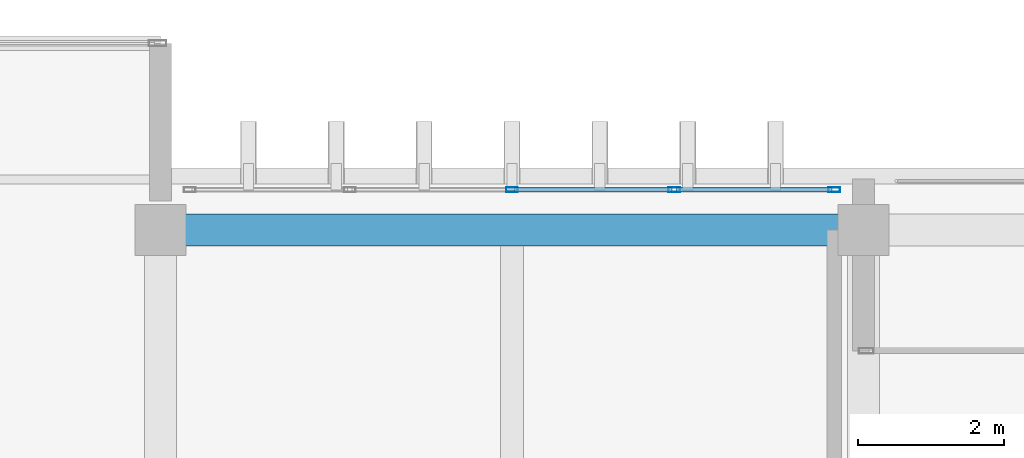
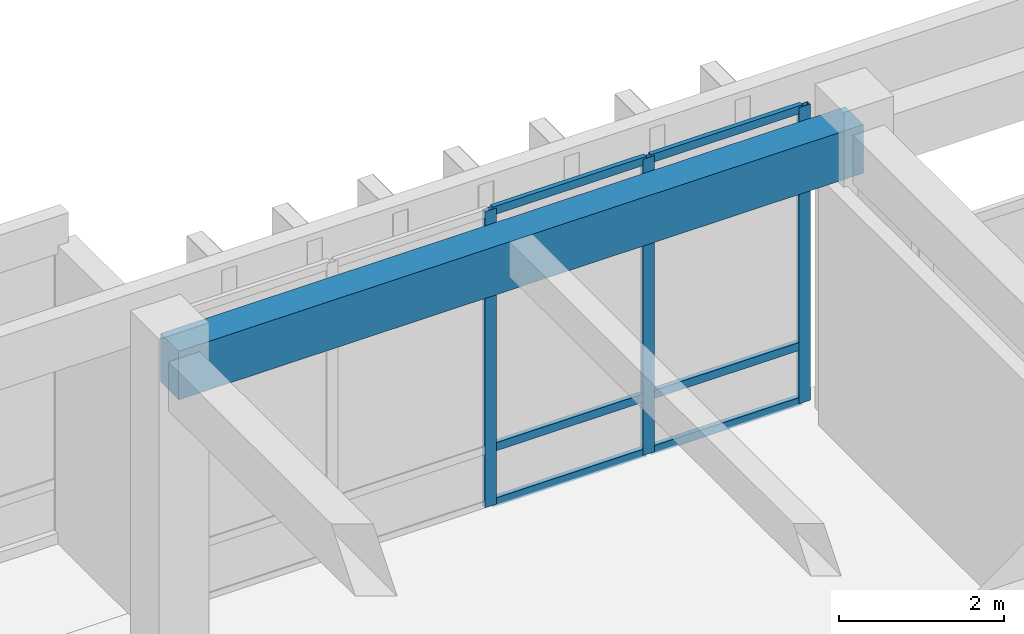
# One storey, part 47 of 133: 9 members, 1 beam, 1 element without a shape of its own.
"""IFC4 building model written with IfcOpenShell, lengths in metres."""

import ifcopenshell
import ifcopenshell.guid

model = None  # the IFC model being written
_history = None  # IfcOwnerHistory: only IFC2X3 demands one
_inside = {}  # id of a spatial element -> (the spatial element, [elements in it])
_under = {}  # id of a project, library or spatial element -> (it, [spatial elements below it])
_declared = {}  # id of a project -> (the project, [libraries it declares])
_typed = {}  # id of a type object -> (the type object, [elements of that type])
_made_of = {}  # id of a material, layer set ... -> (it, [elements and type objects made of it])


def new_model(schema):
    """Start an empty IFC model of exactly this schema.

    Asked for "IFC4X3", IfcOpenShell would pick the latest addendum, in which some entities
    have other attributes; the version numbers below select the first issue.
    IFC2X3 requires an IfcOwnerHistory on every rooted entity: one is made here for all.
    """
    global model, _history
    if schema == "IFC4X3":
        model = ifcopenshell.file(schema_version=(4, 3, 0, 0))
    else:
        model = ifcopenshell.file(schema=schema)
    _inside.clear()
    _under.clear()
    _declared.clear()
    _typed.clear()
    _made_of.clear()
    _history = None
    if model.schema == "IFC2X3":
        org = make("IfcOrganization", Name="unknown")
        user = make(
            "IfcPersonAndOrganization",
            ThePerson=make("IfcPerson", FamilyName="unknown"),
            TheOrganization=org,
        )
        app = make(
            "IfcApplication",
            ApplicationDeveloper=org,
            Version="unknown",
            ApplicationFullName="unknown",
            ApplicationIdentifier="unknown",
        )
        _history = make(
            "IfcOwnerHistory",
            OwningUser=user,
            OwningApplication=app,
            ChangeAction="ADDED",
            CreationDate=0,
        )
    return model


def make(cls, **values):
    """One entity of the class cls with the attributes given. An attribute that is None is left unset."""
    return model.create_entity(
        cls, **{name: value for name, value in values.items() if value is not None}
    )


def rooted(cls, **values):
    """An entity with a GlobalId (a new one), such as an element, a storey or a relation."""
    return make(cls, GlobalId=ifcopenshell.guid.new(), OwnerHistory=_history, **values)


def si_unit(unit_type, name, prefix=None):
    """IfcSIUnit, for example si_unit("LENGTHUNIT", "METRE", prefix="MILLI")."""
    return make("IfcSIUnit", UnitType=unit_type, Prefix=prefix, Name=name)


def assignment(units):
    """IfcUnitAssignment: the units of a project."""
    return None if units is None else make("IfcUnitAssignment", Units=units)


def point(xyz):
    """IfcCartesianPoint."""
    return None if xyz is None else make("IfcCartesianPoint", Coordinates=xyz)


def direction(xyz):
    """IfcDirection."""
    return None if xyz is None else make("IfcDirection", DirectionRatios=xyz)


def frame(location, z_axis=None, x_axis=None):
    """IfcAxis2Placement3D, a coordinate frame: its origin and axes. An axis left out is left unset."""
    return make(
        "IfcAxis2Placement3D",
        Location=point(location),
        Axis=direction(z_axis),
        RefDirection=direction(x_axis),
    )


def frame_2d(location, x_axis=None):
    """IfcAxis2Placement2D, a coordinate frame in the plane: its origin and x axis."""
    return make(
        "IfcAxis2Placement2D", Location=point(location), RefDirection=direction(x_axis)
    )


def origin():
    """The frame at (0, 0, 0) with its axes left unset."""
    return frame((0.0, 0.0, 0.0))


def origin_2d():
    """The frame at (0, 0) in the plane with its x axis left unset."""
    return frame_2d((0.0, 0.0))


def place(relative_to, where):
    """IfcLocalPlacement: puts the frame where relative to a parent placement (None: the world)."""
    return make(
        "IfcLocalPlacement", PlacementRelTo=relative_to, RelativePlacement=where
    )


def context(
    kind, dimensions, precision=None, world=None, true_north=None, identifier=None
):
    """IfcGeometricRepresentationContext, for example the 3D "Model" context."""
    return make(
        "IfcGeometricRepresentationContext",
        ContextIdentifier=identifier,
        ContextType=kind,
        CoordinateSpaceDimension=dimensions,
        Precision=precision,
        WorldCoordinateSystem=world,
        TrueNorth=true_north,
    )


def subcontext(parent, identifier, kind, view, scale=None):
    """IfcGeometricRepresentationSubContext, for example "Body" below "Model"."""
    return make(
        "IfcGeometricRepresentationSubContext",
        ContextIdentifier=identifier,
        ContextType=kind,
        ParentContext=parent,
        TargetScale=scale,
        TargetView=view,
    )


def project(units=None, contexts=None):
    """IfcProject with its units and contexts."""
    return rooted(
        "IfcProject",
        Name="project",
        RepresentationContexts=contexts,
        UnitsInContext=assignment(units),
    )


def spatial(cls, under=None, at=None, **own):
    """A site, building, storey or space (cls), placed at a placement, below another one or the project."""
    s = rooted(cls, ObjectPlacement=at, **own)
    if under is not None:
        _under.setdefault(under.id(), (under, []))[1].append(s)
    return s


def profile(cls, at=None, kind="AREA", **sizes):
    """A parametric profile (cls). Its sizes go by their IFC names, for example OverallWidth=200.0."""
    return make(cls, ProfileType=kind, Position=at, **sizes)


def rectangle(**sizes):
    """IfcRectangleProfileDef."""
    return profile("IfcRectangleProfileDef", **sizes)


def hollow_rectangle(**sizes):
    """IfcRectangleHollowProfileDef."""
    return profile("IfcRectangleHollowProfileDef", **sizes)


def extrude(swept, where, along, depth):
    """IfcExtrudedAreaSolid: the profile swept, set in the frame where, extruded along a direction by depth."""
    return make(
        "IfcExtrudedAreaSolid",
        SweptArea=swept,
        Position=where,
        ExtrudedDirection=direction(along),
        Depth=depth,
    )


def shape(context_of_items, identifier, shape_type, items):
    """IfcShapeRepresentation: the items that make up one representation, for example the "Body"."""
    return make(
        "IfcShapeRepresentation",
        ContextOfItems=context_of_items,
        RepresentationIdentifier=identifier,
        RepresentationType=shape_type,
        Items=items,
    )


def material(Name=None, Category=None):
    """IfcMaterial."""
    return make("IfcMaterial", Name=Name, Category=Category)


def layer(
    of_material, thickness, ventilated=None, Name=None, Category=None, Priority=None
):
    """IfcMaterialLayer: one layer of a wall or slab, of a material (None: an air gap)."""
    return make(
        "IfcMaterialLayer",
        Material=of_material,
        LayerThickness=thickness,
        IsVentilated=ventilated,
        Name=Name,
        Category=Category,
        Priority=Priority,
    )


def layer_set(layers, Name=None):
    """IfcMaterialLayerSet."""
    return make("IfcMaterialLayerSet", MaterialLayers=layers, LayerSetName=Name)


def material_profile(
    of_material, cross_section, Name=None, Category=None, Priority=None
):
    """IfcMaterialProfile: a cross section and its material."""
    return make(
        "IfcMaterialProfile",
        Name=Name,
        Material=of_material,
        Profile=cross_section,
        Priority=Priority,
        Category=Category,
    )


def profile_set(profiles, Name=None, composite=None):
    """IfcMaterialProfileSet."""
    return make(
        "IfcMaterialProfileSet",
        Name=Name,
        MaterialProfiles=profiles,
        CompositeProfile=composite,
    )


def made_of(thing, what):
    """Note that an element or type object is made of a material, layer set ...; save() writes the relation."""
    if what is not None:
        _made_of.setdefault(what.id(), (what, []))[1].append(thing)
    return thing


def type_object(cls, material=None, **own):
    """A type object (cls), such as IfcWallType, which elements share."""
    return made_of(rooted(cls, **own), material)


def element(
    cls,
    number,
    at=None,
    inside=None,
    cuts=None,
    type_object=None,
    material=None,
    context=None,
    identifier="Body",
    shape_type=None,
    held_by="IfcProductDefinitionShape",
    body=None,
    shapes=None,
    **own,
):
    """One element of the class cls, such as IfcWall. Its Tag is "e" and its number.

    at: its placement. inside: the storey or other place that contains it. cuts: it is an
    opening in that element (IfcRelVoidsElement). A single representation is given by context,
    identifier, shape_type and body (its items); several are given by shapes. held_by: the class
    of the entity that holds the representations. save() writes the other relations.
    """
    e = rooted(cls, Tag="e%d" % number, ObjectPlacement=at, **own)
    if body is not None:
        shapes = [shape(context, identifier, shape_type, body)]
    if shapes is not None:
        e.Representation = make(held_by, Representations=shapes)
    if inside is not None:
        _inside.setdefault(inside.id(), (inside, []))[1].append(e)
    if cuts is not None:
        rooted(
            "IfcRelVoidsElement", RelatingBuildingElement=cuts, RelatedOpeningElement=e
        )
    if type_object is not None:
        _typed.setdefault(type_object.id(), (type_object, []))[1].append(e)
    return made_of(e, material)


def aggregate(whole, parts):
    """IfcRelAggregates: a whole, such as a stair, and the parts it consists of."""
    return rooted("IfcRelAggregates", RelatingObject=whole, RelatedObjects=parts)


def save(model, path):
    """Write the relations noted so far, then the file.

    IfcRelAggregates (storeys below a building ...), IfcRelContainedInSpatialStructure (elements
    in a storey), IfcRelDefinesByType, IfcRelAssociatesMaterial and IfcRelDeclares: one each for
    every whole, place, type object, material and project.
    """
    for whole, parts in _under.values():
        aggregate(whole, parts)
    for where, things in _inside.values():
        rooted(
            "IfcRelContainedInSpatialStructure",
            RelatedElements=things,
            RelatingStructure=where,
        )
    for kind, things in _typed.values():
        rooted("IfcRelDefinesByType", RelatedObjects=things, RelatingType=kind)
    for what, things in _made_of.values():
        rooted("IfcRelAssociatesMaterial", RelatedObjects=things, RelatingMaterial=what)
    for by, libraries in _declared.values():
        rooted("IfcRelDeclares", RelatingContext=by, RelatedDefinitions=libraries)
    model.write(path)


model = new_model("IFC4")

# Units and contexts
model_context = context("Model", 3, precision=1e-05, world=origin(), true_north=direction((0.0, 1.0)))
body_context = subcontext(model_context, "Body", "Model", "MODEL_VIEW")
ifc_project = project(units=[si_unit("LENGTHUNIT", "METRE"), si_unit("AREAUNIT", "SQUARE_METRE"), si_unit("VOLUMEUNIT", "CUBIC_METRE"), si_unit("PLANEANGLEUNIT", "RADIAN"), si_unit("MASSUNIT", "GRAM", prefix="KILO")], contexts=[model_context])

# Site, building, storey
site_placement = place(None, origin())
site = spatial("IfcSite", under=ifc_project, at=site_placement, CompositionType="ELEMENT")
building_placement = place(site_placement, origin())
building = spatial("IfcBuilding", under=site, at=building_placement, Name="Nakhvara Creek Congress Hotel", CompositionType="ELEMENT")
storey_placement = place(building_placement, frame((0.0, 0.0, 11.39990234375)))
storey = spatial("IfcBuildingStorey", under=building, at=storey_placement, Name="L02", CompositionType="ELEMENT", Elevation=11.39990234375)

# Beam
ifc_material_1 = material(Name="Concrete C40/50", Category="concrete")
ifc_material_profile_1 = material_profile(ifc_material_1, rectangle(XDim=0.43994140625, YDim=0.719970703125, at=origin_2d()), Name="RC-BM 440x720", Category="LoadBearing")
ifc_profile_set_1 = profile_set([ifc_material_profile_1], Name="Concrete C40/50")
beam_type = type_object("IfcBeamType", Name="BM-RC-440X720", PredefinedType="BEAM", material=ifc_profile_set_1)
beam_placement = place(storey_placement, frame((76.800048828125, 95.25, 4.06005859375), z_axis=(1.0, 0.0, 0.0), x_axis=(0.0, 1.0, 0.0)))
element("IfcBeam", 1, at=beam_placement, inside=storey, type_object=beam_type, Name="Beam B12-L02-1465", PredefinedType="BEAM", context=body_context, shape_type="SweptSolid", body=[
    extrude(rectangle(XDim=0.43994140625, YDim=0.719970703125, at=origin_2d()), origin(), (0.0, 0.0, 1.0), 9.599853515625),
])

# Curtain wall, members
ifc_material_2 = material(Name="Bronze-anodised aluminium AW-6063-T6 and double-silver low-E glass", Category="aluminium")
ifc_layer = layer(ifc_material_2, 0.199951171875)
ifc_layer_set = layer_set([ifc_layer], Name="Bronze-anodised aluminium AW-6063-T6 and double-silver low-E glass")
curtain_wall_type = type_object("IfcCurtainWallType", Name="CW-POD-STICK", PredefinedType="NOTDEFINED", material=ifc_layer_set)
curtain_wall_placement = place(storey_placement, origin())
curtain_wall = element("IfcCurtainWall", 2, at=curtain_wall_placement, inside=storey, type_object=curtain_wall_type, Name="Curtain Wall CW085", PredefinedType="NOTDEFINED")
ifc_material_3 = material(Name="Bronze-anodised aluminium AW-6063-T6", Category="aluminium")
ifc_material_profile_2 = material_profile(ifc_material_3, hollow_rectangle(XDim=0.06494140625, YDim=0.159912109375, WallThickness=0.00390625, at=origin_2d()), Name="ALU-MULL 65x160x4", Category="LoadBearing")
ifc_profile_set_2 = profile_set([ifc_material_profile_2], Name="Bronze-anodised aluminium AW-6063-T6")
member_type_1 = type_object("IfcMemberType", Name="CW-MULL-160", PredefinedType="MULLION", material=ifc_profile_set_2)
member_1_placement = place(storey_placement, frame((81.60009765625, 95.800048828125, 0.0), z_axis=(0.0, 0.0, 1.0), x_axis=(0.0, 1.0, 0.0)))
member_1 = element("IfcMember", 3, at=member_1_placement, type_object=member_type_1, Name="CW085 mullion 3", PredefinedType="MULLION", context=body_context, shape_type="SweptSolid", body=[
    extrude(hollow_rectangle(XDim=0.06494140625, YDim=0.159912109375, WallThickness=0.00390625, at=origin_2d()), origin(), (0.0, 0.0, 1.0), 4.39013671875),
])
member_2_placement = place(storey_placement, frame((83.8173828125, 95.800048828125, 0.0), z_axis=(0.0, 0.0, 1.0), x_axis=(0.0, 1.0, 0.0)))
member_2 = element("IfcMember", 4, at=member_2_placement, type_object=member_type_1, Name="CW085 mullion 4", PredefinedType="MULLION", context=body_context, shape_type="SweptSolid", body=[
    extrude(hollow_rectangle(XDim=0.06494140625, YDim=0.159912109375, WallThickness=0.00390625, at=origin_2d()), origin(), (0.0, 0.0, 1.0), 4.39013671875),
])
member_3_placement = place(storey_placement, frame((86.00244140625, 95.800048828125, 0.0), z_axis=(0.0, 0.0, 1.0), x_axis=(0.0, 1.0, 0.0)))
member_3 = element("IfcMember", 5, at=member_3_placement, type_object=member_type_1, Name="CW085 mullion 5", PredefinedType="MULLION", context=body_context, shape_type="SweptSolid", body=[
    extrude(hollow_rectangle(XDim=0.06494140625, YDim=0.159912109375, WallThickness=0.00390625, at=origin_2d()), origin(), (0.0, 0.0, 1.0), 4.39013671875),
])
ifc_material_profile_3 = material_profile(ifc_material_3, hollow_rectangle(XDim=0.06494140625, YDim=0.1201171875, WallThickness=0.00390625, at=origin_2d()), Name="ALU-TRAN 65x120x4", Category="LoadBearing")
ifc_profile_set_3 = profile_set([ifc_material_profile_3], Name="Bronze-anodised aluminium AW-6063-T6")
member_type_2 = type_object("IfcMemberType", Name="CW-TRAN-120", PredefinedType="USERDEFINED", material=ifc_profile_set_3)
member_4_placement = place(storey_placement, frame((81.632568359375, 95.800048828125, 0.03271484375), z_axis=(1.0, 0.0, 0.0), x_axis=(0.0, 1.0, 0.0)))
member_4 = element("IfcMember", 6, at=member_4_placement, type_object=member_type_2, Name="CW085 transom 3.1", ObjectType="TRANSOM", PredefinedType="USERDEFINED", context=body_context, shape_type="SweptSolid", body=[
    extrude(hollow_rectangle(XDim=0.06494140625, YDim=0.1201171875, WallThickness=0.00390625, at=origin_2d()), origin(), (0.0, 0.0, 1.0), 2.15234375),
])
member_5_placement = place(storey_placement, frame((81.632568359375, 95.800048828125, 0.85009765625), z_axis=(1.0, 0.0, 0.0), x_axis=(0.0, 1.0, 0.0)))
member_5 = element("IfcMember", 7, at=member_5_placement, type_object=member_type_2, Name="CW085 transom 3.2", ObjectType="TRANSOM", PredefinedType="USERDEFINED", context=body_context, shape_type="SweptSolid", body=[
    extrude(hollow_rectangle(XDim=0.06494140625, YDim=0.1201171875, WallThickness=0.00390625, at=origin_2d()), origin(), (0.0, 0.0, 1.0), 2.15234375),
])
member_6_placement = place(storey_placement, frame((81.632568359375, 95.800048828125, 4.357666015625), z_axis=(1.0, 0.0, 0.0), x_axis=(0.0, 1.0, 0.0)))
member_6 = element("IfcMember", 8, at=member_6_placement, type_object=member_type_2, Name="CW085 transom 3.3", ObjectType="TRANSOM", PredefinedType="USERDEFINED", context=body_context, shape_type="SweptSolid", body=[
    extrude(hollow_rectangle(XDim=0.06494140625, YDim=0.1201171875, WallThickness=0.00390625, at=origin_2d()), origin(), (0.0, 0.0, 1.0), 2.15234375),
])
member_7_placement = place(storey_placement, frame((83.85009765625, 95.800048828125, 0.03271484375), z_axis=(1.0, 0.0, 0.0), x_axis=(0.0, 1.0, 0.0)))
member_7 = element("IfcMember", 9, at=member_7_placement, type_object=member_type_2, Name="CW085 transom 4.1", ObjectType="TRANSOM", PredefinedType="USERDEFINED", context=body_context, shape_type="SweptSolid", body=[
    extrude(hollow_rectangle(XDim=0.06494140625, YDim=0.1201171875, WallThickness=0.00390625, at=origin_2d()), origin(), (0.0, 0.0, 1.0), 2.119873046875),
])
member_8_placement = place(storey_placement, frame((83.85009765625, 95.800048828125, 0.85009765625), z_axis=(1.0, 0.0, 0.0), x_axis=(0.0, 1.0, 0.0)))
member_8 = element("IfcMember", 10, at=member_8_placement, type_object=member_type_2, Name="CW085 transom 4.2", ObjectType="TRANSOM", PredefinedType="USERDEFINED", context=body_context, shape_type="SweptSolid", body=[
    extrude(hollow_rectangle(XDim=0.06494140625, YDim=0.1201171875, WallThickness=0.00390625, at=origin_2d()), origin(), (0.0, 0.0, 1.0), 2.119873046875),
])
member_9_placement = place(storey_placement, frame((83.85009765625, 95.800048828125, 4.357666015625), z_axis=(1.0, 0.0, 0.0), x_axis=(0.0, 1.0, 0.0)))
member_9 = element("IfcMember", 11, at=member_9_placement, type_object=member_type_2, Name="CW085 transom 4.3", ObjectType="TRANSOM", PredefinedType="USERDEFINED", context=body_context, shape_type="SweptSolid", body=[
    extrude(hollow_rectangle(XDim=0.06494140625, YDim=0.1201171875, WallThickness=0.00390625, at=origin_2d()), origin(), (0.0, 0.0, 1.0), 2.119873046875),
])
aggregate(curtain_wall, [member_1, member_2, member_3, member_4, member_5, member_6, member_7, member_8, member_9])

save(model, "model.ifc")
